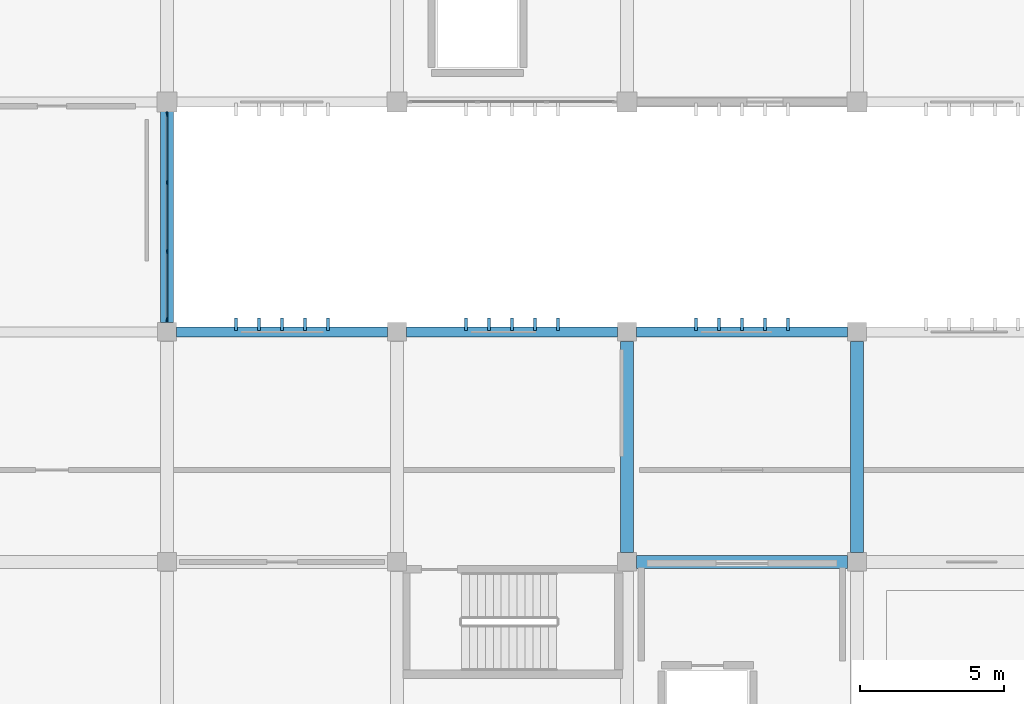
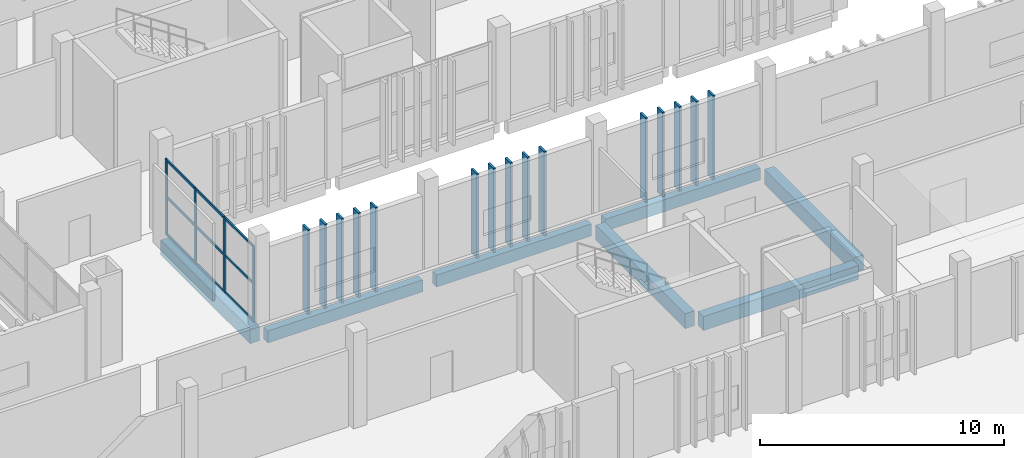
# One storey, part 33 of 106: 28 members, 7 beams, 1 element without a shape of its own.
"""IFC4 building model written with IfcOpenShell, lengths in metres."""

from ifc_helpers import new_model, si_unit, direction, frame, origin, origin_2d, place, context, subcontext, project, spatial, rectangle, extrude, material, layer, layer_set, material_profile, profile_set, type_object, element, aggregate, save


model = new_model("IFC4")

# Units and contexts
model_context = context("Model", 3, precision=1e-05, world=origin(), true_north=direction((0.0, 1.0)))
body_context = subcontext(model_context, "Body", "Model", "MODEL_VIEW")
ifc_project = project(units=[si_unit("LENGTHUNIT", "METRE"), si_unit("AREAUNIT", "SQUARE_METRE"), si_unit("VOLUMEUNIT", "CUBIC_METRE"), si_unit("PLANEANGLEUNIT", "RADIAN"), si_unit("MASSUNIT", "GRAM", prefix="KILO")], contexts=[model_context])

# Site, building, storey
site_placement = place(None, origin())
site = spatial("IfcSite", under=ifc_project, at=site_placement, CompositionType="ELEMENT")
building_placement = place(site_placement, origin())
building = spatial("IfcBuilding", under=site, at=building_placement, Name="Jelvoka-Kovrelna Polytechnic", CompositionType="ELEMENT")
storey_placement = place(building_placement, frame((0.0, 0.0, 4.800048828125)))
storey = spatial("IfcBuildingStorey", under=building, at=storey_placement, Name="L02", CompositionType="ELEMENT", Elevation=4.800048828125)

# Beams
ifc_material_1 = material(Name="Concrete C40/50", Category="concrete")
ifc_material_profile_1 = material_profile(ifc_material_1, rectangle(XDim=0.449951171875, YDim=0.699951171875, at=origin_2d()), Name="RC 450x700")
ifc_profile_set_1 = profile_set([ifc_material_profile_1], Name="Concrete C40/50")
beam_type_1 = type_object("IfcBeamType", Name="Beam_RC_450x700", PredefinedType="BEAM", material=ifc_profile_set_1)
beam_placement = place(storey_placement, frame((96.330078125, 16.0, -0.614990234375), z_axis=(1.0, 0.0, 0.0), x_axis=(0.0, 1.0, 0.0)))
element("IfcBeam", 1, at=beam_placement, inside=storey, type_object=beam_type_1, Name="L02 beam 0625", PredefinedType="BEAM", context=body_context, shape_type="SweptSolid", body=[
    extrude(rectangle(XDim=0.449951171875, YDim=0.699951171875, at=origin_2d()), origin(), (0.0, 0.0, 1.0), 7.33984375),
])
ifc_material_2 = material(Name="Concrete C40/50", Category="concrete")
ifc_material_profile_2 = material_profile(ifc_material_2, rectangle(XDim=0.449951171875, YDim=0.75, at=origin_2d()), Name="RC 450x750")
ifc_profile_set_2 = profile_set([ifc_material_profile_2], Name="Concrete C40/50")
beam_type_2 = type_object("IfcBeamType", Name="Beam_RC_450x750", PredefinedType="BEAM", material=ifc_profile_set_2)
for number, where, z_axis, x_axis, name in (
    (2, (96.0, 16.330078125, -0.64013671875), (0.0, 1.0, 0.0), (-1.0, 0.0, 0.0), "L02 beam 0645"),
    (3, (104.0, 16.330078125, -0.64013671875), (0.0, 1.0, 0.0), (-1.0, 0.0, 0.0), "L02 beam 0647"),
    (4, (80.0, 24.330078125, -0.64013671875), (0.0, 1.0, 0.0), (-1.0, 0.0, 0.0), "L02 beam 0856"),
):
    element("IfcBeam", number, at=place(storey_placement, frame(where, z_axis=z_axis, x_axis=x_axis)), inside=storey, type_object=beam_type_2, Name=name, PredefinedType="BEAM", context=body_context, shape_type="SweptSolid", body=[
        extrude(rectangle(XDim=0.449951171875, YDim=0.75, at=origin_2d()), origin(), (0.0, 0.0, 1.0), 7.33984375),
    ])

# Members
ifc_material_3 = material(Name="Precast concrete C40/50", Category="concrete")
ifc_material_profile_3 = material_profile(ifc_material_3, rectangle(XDim=0.10009765625, YDim=0.449951171875, at=origin_2d()), Name="PC 100x450")
ifc_profile_set_3 = profile_set([ifc_material_profile_3], Name="Precast concrete C40/50")
member_type_1 = type_object("IfcMemberType", Name="Louvre_Fin_100x450", PredefinedType="USERDEFINED", material=ifc_profile_set_3)
for number, where, z_axis, x_axis, name in (
    (5, (82.39990234375, 24.264892578125, -0.27001953125), (0.0, 0.0, 1.0), (1.0, 0.0, 0.0), "L02 B1 north vertical solar louvre fin 0131"),
    (6, (83.199951171875, 24.264892578125, -0.27001953125), (0.0, 0.0, 1.0), (1.0, 0.0, 0.0), "L02 B1 north vertical solar louvre fin 0132"),
    (7, (84.0, 24.264892578125, -0.27001953125), (0.0, 0.0, 1.0), (1.0, 0.0, 0.0), "L02 B1 north vertical solar louvre fin 0133"),
    (8, (84.800048828125, 24.264892578125, -0.27001953125), (0.0, 0.0, 1.0), (1.0, 0.0, 0.0), "L02 B1 north vertical solar louvre fin 0134"),
    (9, (85.60009765625, 24.264892578125, -0.27001953125), (0.0, 0.0, 1.0), (1.0, 0.0, 0.0), "L02 B1 north vertical solar louvre fin 0135"),
    (10, (90.39990234375, 24.264892578125, -0.27001953125), (0.0, 0.0, 1.0), (1.0, 0.0, 0.0), "L02 B1 north vertical solar louvre fin 0141"),
    (11, (91.199951171875, 24.264892578125, -0.27001953125), (0.0, 0.0, 1.0), (1.0, 0.0, 0.0), "L02 B1 north vertical solar louvre fin 0142"),
    (12, (92.0, 24.264892578125, -0.27001953125), (0.0, 0.0, 1.0), (1.0, 0.0, 0.0), "L02 B1 north vertical solar louvre fin 0143"),
    (13, (92.800048828125, 24.264892578125, -0.27001953125), (0.0, 0.0, 1.0), (1.0, 0.0, 0.0), "L02 B1 north vertical solar louvre fin 0144"),
    (14, (93.60009765625, 24.264892578125, -0.27001953125), (0.0, 0.0, 1.0), (1.0, 0.0, 0.0), "L02 B1 north vertical solar louvre fin 0145"),
    (15, (98.39990234375, 24.264892578125, -0.27001953125), (0.0, 0.0, 1.0), (1.0, 0.0, 0.0), "L02 B1 north vertical solar louvre fin 0151"),
    (16, (99.199951171875, 24.264892578125, -0.27001953125), (0.0, 0.0, 1.0), (1.0, 0.0, 0.0), "L02 B1 north vertical solar louvre fin 0152"),
    (17, (100.0, 24.264892578125, -0.27001953125), (0.0, 0.0, 1.0), (1.0, 0.0, 0.0), "L02 B1 north vertical solar louvre fin 0153"),
    (18, (100.800048828125, 24.264892578125, -0.27001953125), (0.0, 0.0, 1.0), (1.0, 0.0, 0.0), "L02 B1 north vertical solar louvre fin 0154"),
    (19, (101.60009765625, 24.264892578125, -0.27001953125), (0.0, 0.0, 1.0), (1.0, 0.0, 0.0), "L02 B1 north vertical solar louvre fin 0155"),
):
    element("IfcMember", number, at=place(storey_placement, frame(where, z_axis=z_axis, x_axis=x_axis)), inside=storey, type_object=member_type_1, Name=name, ObjectType="SUNSHADE", PredefinedType="USERDEFINED", context=body_context, shape_type="SweptSolid", body=[
        extrude(rectangle(XDim=0.10009765625, YDim=0.449951171875, at=origin_2d()), origin(), (0.0, 0.0, 1.0), 4.22998046875),
    ])

# Curtain wall, members
ifc_material_4 = material(Name="Anodised aluminium 6063-T6", Category="aluminium")
ifc_layer = layer(ifc_material_4, 0.159912109375)
ifc_layer_set = layer_set([ifc_layer], Name="Anodised aluminium 6063-T6")
curtain_wall_type = type_object("IfcCurtainWallType", Name="CW_LinkBridge", PredefinedType="NOTDEFINED", material=ifc_layer_set)
curtain_wall_placement = place(storey_placement, origin())
curtain_wall = element("IfcCurtainWall", 20, at=curtain_wall_placement, inside=storey, type_object=curtain_wall_type, Name="L02 glazed curtain wall 115", PredefinedType="NOTDEFINED")
ifc_material_5 = material(Name="Anodised aluminium 6063-T6", Category="aluminium")
ifc_material_profile_4 = material_profile(ifc_material_5, rectangle(XDim=0.06005859375, YDim=0.159912109375, at=origin_2d()), Name="ALU 60x160")
ifc_profile_set_4 = profile_set([ifc_material_profile_4], Name="Anodised aluminium 6063-T6")
member_type_2 = type_object("IfcMemberType", Name="Mullion_M-04", PredefinedType="MULLION", material=ifc_profile_set_4)
member_1_placement = place(storey_placement, frame((80.0, 31.570068359375, -0.02490234375), z_axis=(0.0, 0.0, 1.0), x_axis=(1.0, 0.0, 0.0)))
member_1 = element("IfcMember", 21, at=member_1_placement, type_object=member_type_2, Name="CW-04 mullion 1", PredefinedType="MULLION", context=body_context, shape_type="SweptSolid", body=[
    extrude(rectangle(XDim=0.06005859375, YDim=0.159912109375, at=origin_2d()), origin(), (0.0, 0.0, 1.0), 3.81005859375),
])
member_2_placement = place(storey_placement, frame((80.0, 29.199951171875, -0.02490234375), z_axis=(0.0, 0.0, 1.0), x_axis=(1.0, 0.0, 0.0)))
member_2 = element("IfcMember", 22, at=member_2_placement, type_object=member_type_2, Name="CW-04 mullion 2", PredefinedType="MULLION", context=body_context, shape_type="SweptSolid", body=[
    extrude(rectangle(XDim=0.06005859375, YDim=0.159912109375, at=origin_2d()), origin(), (0.0, 0.0, 1.0), 3.81005859375),
])
member_3_placement = place(storey_placement, frame((80.0, 26.800048828125, -0.02490234375), z_axis=(0.0, 0.0, 1.0), x_axis=(1.0, 0.0, 0.0)))
member_3 = element("IfcMember", 23, at=member_3_placement, type_object=member_type_2, Name="CW-04 mullion 3", PredefinedType="MULLION", context=body_context, shape_type="SweptSolid", body=[
    extrude(rectangle(XDim=0.06005859375, YDim=0.159912109375, at=origin_2d()), origin(), (0.0, 0.0, 1.0), 3.81005859375),
])
member_4_placement = place(storey_placement, frame((80.0, 24.429931640625, -0.02490234375), z_axis=(0.0, 0.0, 1.0), x_axis=(1.0, 0.0, 0.0)))
member_4 = element("IfcMember", 24, at=member_4_placement, type_object=member_type_2, Name="CW-04 mullion 4", PredefinedType="MULLION", context=body_context, shape_type="SweptSolid", body=[
    extrude(rectangle(XDim=0.06005859375, YDim=0.159912109375, at=origin_2d()), origin(), (0.0, 0.0, 1.0), 3.81005859375),
])

# Beams
ifc_material_6 = material(Name="Concrete C40/50", Category="concrete")
ifc_material_profile_5 = material_profile(ifc_material_6, rectangle(XDim=0.35009765625, YDim=0.60009765625, at=origin_2d()), Name="RC 350x600")
ifc_profile_set_5 = profile_set([ifc_material_profile_5], Name="Concrete C40/50")
beam_type_3 = type_object("IfcBeamType", Name="Spandrel_RC_350x600", PredefinedType="SPANDREL", material=ifc_profile_set_5)
for number, where, z_axis, x_axis, name in (
    (25, (80.330078125, 24.0, -0.56494140625), (1.0, 0.0, 0.0), (0.0, 1.0, 0.0), "L02 beam 0630"),
    (26, (88.330078125, 24.0, -0.56494140625), (1.0, 0.0, 0.0), (0.0, 1.0, 0.0), "L02 beam 0631"),
    (27, (96.330078125, 24.0, -0.56494140625), (1.0, 0.0, 0.0), (0.0, 1.0, 0.0), "L02 beam 0632"),
):
    element("IfcBeam", number, at=place(storey_placement, frame(where, z_axis=z_axis, x_axis=x_axis)), inside=storey, type_object=beam_type_3, Name=name, PredefinedType="SPANDREL", context=body_context, shape_type="SweptSolid", body=[
        extrude(rectangle(XDim=0.35009765625, YDim=0.60009765625, at=origin_2d()), origin(), (0.0, 0.0, 1.0), 7.33984375),
    ])

# Member
ifc_material_7 = material(Name="Anodised aluminium 6063-T6", Category="aluminium")
ifc_material_profile_6 = material_profile(ifc_material_7, rectangle(XDim=0.06005859375, YDim=0.1201171875, at=origin_2d()), Name="ALU 60x120")
ifc_profile_set_6 = profile_set([ifc_material_profile_6], Name="Anodised aluminium 6063-T6")
member_type_3 = type_object("IfcMemberType", Name="Transom_T-04", PredefinedType="USERDEFINED", material=ifc_profile_set_6)
member_5_placement = place(storey_placement, frame((80.0, 31.5400390625, 0.030029296875), z_axis=(0.0, -1.0, 0.0), x_axis=(1.0, 0.0, 0.0)))
member_5 = element("IfcMember", 28, at=member_5_placement, type_object=member_type_3, Name="CW-04 transom 1.1", ObjectType="TRANSOM", PredefinedType="USERDEFINED", context=body_context, shape_type="SweptSolid", body=[
    extrude(rectangle(XDim=0.06005859375, YDim=0.1201171875, at=origin_2d()), origin(), (0.0, 0.0, 1.0), 2.31005859375),
])

member_6_placement = place(storey_placement, frame((80.0, 31.5400390625, 1.8798828125), z_axis=(0.0, -1.0, 0.0), x_axis=(1.0, 0.0, 0.0)))
member_6 = element("IfcMember", 29, at=member_6_placement, type_object=member_type_3, Name="CW-04 transom 1.2", ObjectType="TRANSOM", PredefinedType="USERDEFINED", context=body_context, shape_type="SweptSolid", body=[
    extrude(rectangle(XDim=0.06005859375, YDim=0.1201171875, at=origin_2d()), origin(), (0.0, 0.0, 1.0), 2.31005859375),
])

member_7_placement = place(storey_placement, frame((80.0, 31.5400390625, 3.72998046875), z_axis=(0.0, -1.0, 0.0), x_axis=(1.0, 0.0, 0.0)))
member_7 = element("IfcMember", 30, at=member_7_placement, type_object=member_type_3, Name="CW-04 transom 1.3", ObjectType="TRANSOM", PredefinedType="USERDEFINED", context=body_context, shape_type="SweptSolid", body=[
    extrude(rectangle(XDim=0.06005859375, YDim=0.1201171875, at=origin_2d()), origin(), (0.0, 0.0, 1.0), 2.31005859375),
])

member_8_placement = place(storey_placement, frame((80.0, 29.169921875, 0.030029296875), z_axis=(0.0, -1.0, 0.0), x_axis=(1.0, 0.0, 0.0)))
member_8 = element("IfcMember", 31, at=member_8_placement, type_object=member_type_3, Name="CW-04 transom 2.1", ObjectType="TRANSOM", PredefinedType="USERDEFINED", context=body_context, shape_type="SweptSolid", body=[
    extrude(rectangle(XDim=0.06005859375, YDim=0.1201171875, at=origin_2d()), origin(), (0.0, 0.0, 1.0), 2.33984375),
])

member_9_placement = place(storey_placement, frame((80.0, 29.169921875, 1.8798828125), z_axis=(0.0, -1.0, 0.0), x_axis=(1.0, 0.0, 0.0)))
member_9 = element("IfcMember", 32, at=member_9_placement, type_object=member_type_3, Name="CW-04 transom 2.2", ObjectType="TRANSOM", PredefinedType="USERDEFINED", context=body_context, shape_type="SweptSolid", body=[
    extrude(rectangle(XDim=0.06005859375, YDim=0.1201171875, at=origin_2d()), origin(), (0.0, 0.0, 1.0), 2.33984375),
])

member_10_placement = place(storey_placement, frame((80.0, 29.169921875, 3.72998046875), z_axis=(0.0, -1.0, 0.0), x_axis=(1.0, 0.0, 0.0)))
member_10 = element("IfcMember", 33, at=member_10_placement, type_object=member_type_3, Name="CW-04 transom 2.3", ObjectType="TRANSOM", PredefinedType="USERDEFINED", context=body_context, shape_type="SweptSolid", body=[
    extrude(rectangle(XDim=0.06005859375, YDim=0.1201171875, at=origin_2d()), origin(), (0.0, 0.0, 1.0), 2.33984375),
])

member_11_placement = place(storey_placement, frame((80.0, 26.77001953125, 0.030029296875), z_axis=(0.0, -1.0, 0.0), x_axis=(1.0, 0.0, 0.0)))
member_11 = element("IfcMember", 34, at=member_11_placement, type_object=member_type_3, Name="CW-04 transom 3.1", ObjectType="TRANSOM", PredefinedType="USERDEFINED", context=body_context, shape_type="SweptSolid", body=[
    extrude(rectangle(XDim=0.06005859375, YDim=0.1201171875, at=origin_2d()), origin(), (0.0, 0.0, 1.0), 2.31005859375),
])

member_12_placement = place(storey_placement, frame((80.0, 26.77001953125, 1.8798828125), z_axis=(0.0, -1.0, 0.0), x_axis=(1.0, 0.0, 0.0)))
member_12 = element("IfcMember", 35, at=member_12_placement, type_object=member_type_3, Name="CW-04 transom 3.2", ObjectType="TRANSOM", PredefinedType="USERDEFINED", context=body_context, shape_type="SweptSolid", body=[
    extrude(rectangle(XDim=0.06005859375, YDim=0.1201171875, at=origin_2d()), origin(), (0.0, 0.0, 1.0), 2.31005859375),
])

member_13_placement = place(storey_placement, frame((80.0, 26.77001953125, 3.72998046875), z_axis=(0.0, -1.0, 0.0), x_axis=(1.0, 0.0, 0.0)))
member_13 = element("IfcMember", 36, at=member_13_placement, type_object=member_type_3, Name="CW-04 transom 3.3", ObjectType="TRANSOM", PredefinedType="USERDEFINED", context=body_context, shape_type="SweptSolid", body=[
    extrude(rectangle(XDim=0.06005859375, YDim=0.1201171875, at=origin_2d()), origin(), (0.0, 0.0, 1.0), 2.31005859375),
])

aggregate(curtain_wall, [member_1, member_2, member_3, member_4, member_5, member_6, member_7, member_8, member_9, member_10, member_11, member_12, member_13])

save(model, "model.ifc")
